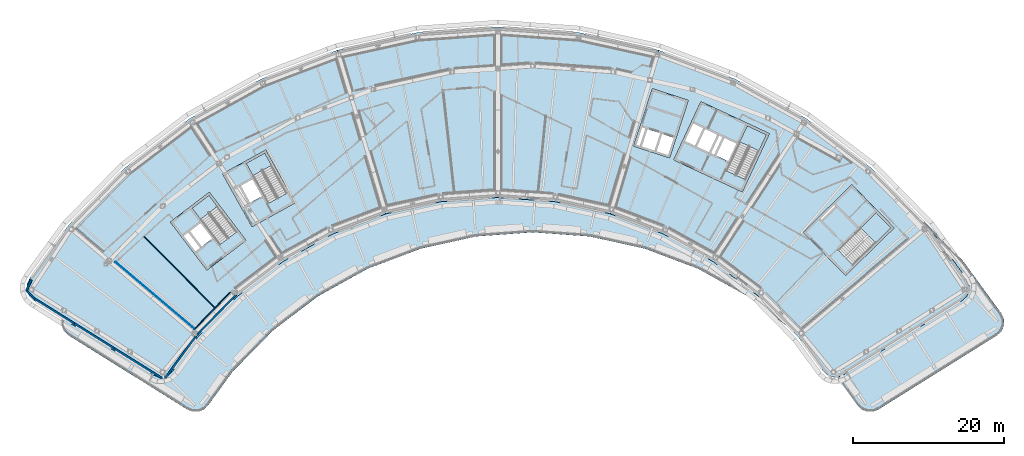
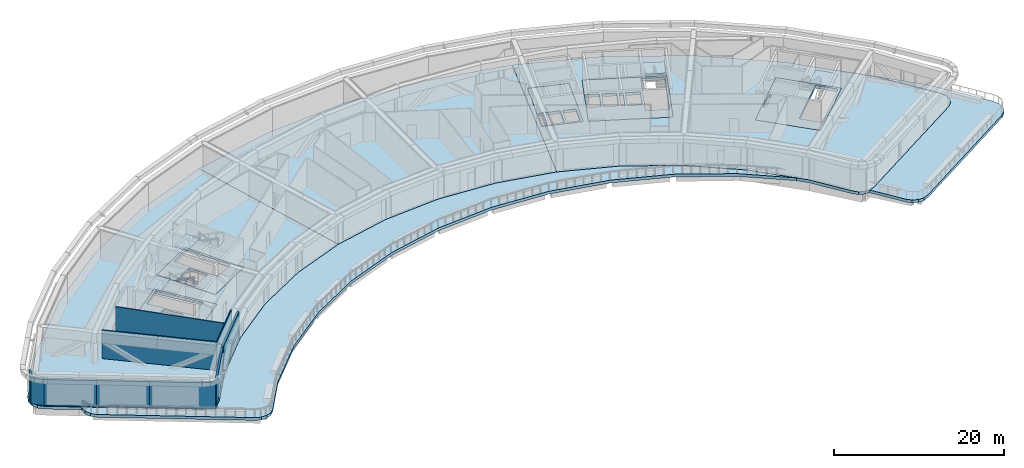
# One storey, part 6 of 24: 14 slabs, 10 walls, 4 elements without a shape of their own.
"""IFC4 building model written with IfcOpenShell, lengths in metres."""

from ifc_helpers import new_model, si_unit, direction, frame, frame_2d, origin, place, context, subcontext, project, spatial, polyline, rectangle, outline, extrude, material, layer, layer_set, type_object, element, aggregate, save


model = new_model("IFC4")

# Units and contexts
model_context = context("Model", 3, precision=1e-05, world=origin(), true_north=direction((0.0, 1.0)))
body_context = subcontext(model_context, "Body", "Model", "MODEL_VIEW")
ifc_project = project(units=[si_unit("LENGTHUNIT", "METRE"), si_unit("AREAUNIT", "SQUARE_METRE"), si_unit("VOLUMEUNIT", "CUBIC_METRE"), si_unit("PLANEANGLEUNIT", "RADIAN"), si_unit("MASSUNIT", "GRAM", prefix="KILO")], contexts=[model_context])

# Site, building, storey
site_placement = place(None, origin())
site = spatial("IfcSite", under=ifc_project, at=site_placement, CompositionType="ELEMENT")
building_placement = place(site_placement, origin())
building = spatial("IfcBuilding", under=site, at=building_placement, Name="Tuul Gate Civic Tower", CompositionType="ELEMENT")
storey_placement = place(building_placement, frame((0.0, 0.0, 315.199951171875)))
storey = spatial("IfcBuildingStorey", under=building, at=storey_placement, Name="Plant and refuge floor 7", CompositionType="ELEMENT", Elevation=315.199951171875)

# Slabs
ifc_material_1 = material(Name="Concrete C40/50", Category="concrete")
ifc_layer_1 = layer(ifc_material_1, 0.39990234375)
ifc_layer_set_1 = layer_set([ifc_layer_1], Name="Concrete C40/50")
slab_type_1 = type_object("IfcSlabType", Name="Core floor slab 400", PredefinedType="FLOOR", material=ifc_layer_set_1)
slab_1_placement = place(storey_placement, frame((0.0, 0.0, -0.400146484375)))
element("IfcSlab", 1, at=slab_1_placement, inside=storey, type_object=slab_type_1, Name="FLOOR SLAB", PredefinedType="FLOOR", context=body_context, shape_type="SweptSolid", body=[
    extrude(outline(polyline([(-31.10009765625, -13.7890625), (-35.946044921875, -7.423828125), (-41.11767578125, -11.361572265625), (-36.271484375, -17.726806640625), (-31.10009765625, -13.7890625)]), holes=[polyline([(-35.561767578125, -13.541259765625), (-37.1064453125, -11.512451171875), (-38.498779296875, -12.572509765625), (-36.9541015625, -14.6015625), (-35.561767578125, -13.541259765625)]), polyline([(-37.19287109375, -14.783203125), (-38.737548828125, -12.75439453125), (-39.45361328125, -13.299560546875), (-37.908935546875, -15.328369140625), (-37.19287109375, -14.783203125)]), polyline([(-32.33935546875, -12.65771484375), (-34.56591796875, -14.352783203125), (-38.229736328125, -9.54052734375), (-36.003173828125, -7.845458984375), (-32.33935546875, -12.65771484375)])]), origin(), (0.0, 0.0, 1.0), 0.400146484375),
])
slab_2_placement = place(storey_placement, frame((0.0, 0.0, -0.400146484375)))
element("IfcSlab", 2, at=slab_2_placement, inside=storey, type_object=slab_type_1, Name="FLOOR SLAB", PredefinedType="FLOOR", context=body_context, shape_type="SweptSolid", body=[
    extrude(outline(polyline([(-24.638916015625, -8.846923828125), (-28.51708984375, -1.849853515625), (-34.2021484375, -5.0009765625), (-30.32421875, -11.998046875), (-24.638916015625, -8.846923828125)]), holes=[polyline([(-29.0185546875, -7.958740234375), (-30.254638671875, -5.728515625), (-31.785400390625, -6.576904296875), (-30.54931640625, -8.80712890625), (-29.0185546875, -7.958740234375)]), polyline([(-30.8115234375, -8.95263671875), (-32.047607421875, -6.72216796875), (-32.8349609375, -7.158447265625), (-31.5986328125, -9.388916015625), (-30.8115234375, -8.95263671875)]), polyline([(-25.702392578125, -7.548828125), (-28.14990234375, -8.905517578125), (-31.08203125, -3.615234375), (-28.63427734375, -2.2587890625), (-25.702392578125, -7.548828125)])]), origin(), (0.0, 0.0, 1.0), 0.400146484375),
])
slab_3_placement = place(storey_placement, frame((0.0, 0.0, -0.400146484375)))
element("IfcSlab", 3, at=slab_3_placement, inside=storey, type_object=slab_type_1, Name="FLOOR SLAB", PredefinedType="FLOOR", context=body_context, shape_type="SweptSolid", body=[
    extrude(outline(polyline([(48.117919921875, -18.43310546875), (54.545166015625, -12.1328125), (48.945068359375, -6.419921875), (42.517822265625, -12.719970703125), (48.117919921875, -18.43310546875)]), holes=[polyline([(44.93896484375, -11.046875), (46.760009765625, -9.261962890625), (46.514892578125, -9.011962890625), (44.69384765625, -10.797119140625), (44.93896484375, -11.046875)]), polyline([(49.086181640625, -17.062744140625), (47.12744140625, -15.064208984375), (52.160888671875, -10.130126953125), (54.11962890625, -12.128662109375), (49.086181640625, -17.062744140625)])]), origin(), (0.0, 0.0, 1.0), 0.400146484375),
])
slab_4_placement = place(storey_placement, frame((0.0, 0.0, -0.400146484375)))
element("IfcSlab", 4, at=slab_4_placement, inside=storey, type_object=slab_type_1, Name="FLOOR SLAB", PredefinedType="FLOOR", context=body_context, shape_type="SweptSolid", body=[
    extrude(outline(polyline([(34.465087890625, -7.385986328125), (38.056884765625, 0.31787109375), (28.993896484375, 4.543701171875), (25.40185546875, -3.159912109375), (34.465087890625, -7.385986328125)]), holes=[polyline([(32.60888671875, -3.32080078125), (33.6865234375, -1.009765625), (32.1005859375, -0.27001953125), (31.02294921875, -2.581298828125), (32.60888671875, -3.32080078125)]), polyline([(30.0712890625, -2.137451171875), (31.14892578125, 0.173583984375), (29.562744140625, 0.9130859375), (28.4853515625, -1.39794921875), (30.0712890625, -2.137451171875)]), polyline([(30.751220703125, -2.454345703125), (31.82861328125, -0.143310546875), (31.4208984375, 0.046875), (30.34326171875, -2.264404296875), (30.751220703125, -2.454345703125)]), polyline([(28.21337890625, -1.27099609375), (29.291015625, 1.0400390625), (27.8408203125, 1.71630859375), (26.76318359375, -0.594970703125), (28.21337890625, -1.27099609375)]), polyline([(34.889892578125, -5.7626953125), (32.353759765625, -4.580078125), (35.120849609375, 1.354736328125), (37.6572265625, 0.17236328125), (34.889892578125, -5.7626953125)])]), origin(), (0.0, 0.0, 1.0), 0.400146484375),
])
ifc_material_2 = material(Name="Concrete C40/50", Category="concrete")
ifc_layer_2 = layer(ifc_material_2, 0.39990234375)
ifc_layer_set_2 = layer_set([ifc_layer_2], Name="Concrete C40/50")
slab_type_2 = type_object("IfcSlabType", Name="Core floor slab 400 non-bearing", PredefinedType="FLOOR", material=ifc_layer_set_2)
slab_5_placement = place(storey_placement, frame((0.0, 0.0, -0.400146484375)))
element("IfcSlab", 5, at=slab_5_placement, inside=storey, type_object=slab_type_2, Name="FLOOR SLAB", PredefinedType="FLOOR", context=body_context, shape_type="SweptSolid", body=[
    extrude(outline(polyline([(24.864990234375, -2.888916015625), (27.337890625, 4.71923828125), (22.58251953125, 6.264404296875), (20.109619140625, -1.343994140625), (24.864990234375, -2.888916015625)]), holes=[polyline([(24.67236328125, -2.510986328125), (25.414306640625, -0.228515625), (23.892578125, 0.265869140625), (23.150634765625, -2.0166015625), (24.67236328125, -2.510986328125)]), polyline([(22.865478515625, -1.923828125), (23.607177734375, 0.358642578125), (21.94287109375, 0.8994140625), (21.201171875, -1.383056640625), (22.865478515625, -1.923828125)]), polyline([(20.869384765625, -1.43310546875), (21.65771484375, 0.9921875), (21.0869140625, 1.177490234375), (20.298583984375, -1.24755859375), (20.869384765625, -1.43310546875)])]), origin(), (0.0, 0.0, 1.0), 0.400146484375),
])

# Stair, slab
ifc_material_3 = material(Name="Concrete C40/50", Category="concrete")
stair_type = type_object("IfcStairType", Name="Exit stair", PredefinedType="HALF_TURN_STAIR", material=ifc_material_3)
stair_1_placement = place(storey_placement, origin())
stair_1 = element("IfcStair", 6, at=stair_1_placement, inside=storey, type_object=stair_type, Name="Plant and refuge floor 7 ST-1", PredefinedType="HALF_TURN_STAIR")
ifc_material_4 = material(Name="Concrete C40/50", Category="concrete")
ifc_layer_3 = layer(ifc_material_4, 0.199951171875)
ifc_layer_set_3 = layer_set([ifc_layer_3], Name="Concrete C40/50")
slab_type_3 = type_object("IfcSlabType", Name="Exit stair landing", PredefinedType="LANDING", material=ifc_layer_set_3)
slab_6_placement = place(storey_placement, frame((0.0, 0.0, 2.050048828125)))
slab_6 = element("IfcSlab", 7, at=slab_6_placement, type_object=slab_type_3, Name="ST-1 landing 1", PredefinedType="LANDING", context=body_context, shape_type="SweptSolid", body=[
    extrude(outline(polyline([(-34.88134765625, -9.31640625), (-37.1103515625, -11.013427734375), (-38.23193359375, -9.540283203125), (-36.0029296875, -7.843017578125), (-34.88134765625, -9.31640625)])), origin(), (0.0, 0.0, 1.0), 0.199951171875),
])
aggregate(stair_1, [slab_6])

stair_2_placement = place(storey_placement, origin())
stair_2 = element("IfcStair", 8, at=stair_2_placement, inside=storey, type_object=stair_type, Name="Plant and refuge floor 7 ST-2", PredefinedType="HALF_TURN_STAIR")
slab_7_placement = place(storey_placement, frame((0.0, 0.0, 2.050048828125)))
slab_7 = element("IfcSlab", 9, at=slab_7_placement, type_object=slab_type_3, Name="ST-2 landing 1", PredefinedType="LANDING", context=body_context, shape_type="SweptSolid", body=[
    extrude(outline(polyline([(-27.736083984375, -3.8759765625), (-30.1865234375, -5.234130859375), (-31.084228515625, -3.61474609375), (-28.6337890625, -2.256591796875), (-27.736083984375, -3.8759765625)])), origin(), (0.0, 0.0, 1.0), 0.199951171875),
])
aggregate(stair_2, [slab_7])

stair_3_placement = place(storey_placement, origin())
stair_3 = element("IfcStair", 10, at=stair_3_placement, inside=storey, type_object=stair_type, Name="Plant and refuge floor 7 ST-3", PredefinedType="HALF_TURN_STAIR")
slab_8_placement = place(storey_placement, frame((0.0, 0.0, 2.050048828125)))
slab_8 = element("IfcSlab", 11, at=slab_8_placement, type_object=slab_type_3, Name="ST-3 landing 1", PredefinedType="LANDING", context=body_context, shape_type="SweptSolid", body=[
    extrude(outline(polyline([(52.085693359375, -14.124755859375), (50.12451171875, -12.1240234375), (52.160888671875, -10.1279296875), (54.1220703125, -12.128662109375), (52.085693359375, -14.124755859375)])), origin(), (0.0, 0.0, 1.0), 0.199951171875),
])
aggregate(stair_3, [slab_8])

stair_4_placement = place(storey_placement, origin())
stair_4 = element("IfcStair", 12, at=stair_4_placement, inside=storey, type_object=stair_type, Name="Plant and refuge floor 7 ST-4", PredefinedType="HALF_TURN_STAIR")
slab_9_placement = place(storey_placement, frame((0.0, 0.0, 2.050048828125)))
slab_9 = element("IfcSlab", 13, at=slab_9_placement, type_object=slab_type_3, Name="ST-4 landing 1", PredefinedType="LANDING", context=body_context, shape_type="SweptSolid", body=[
    extrude(outline(polyline([(36.66552734375, -1.958251953125), (34.12646484375, -0.7744140625), (35.1201171875, 1.35693359375), (37.659423828125, 0.173095703125), (36.66552734375, -1.958251953125)])), origin(), (0.0, 0.0, 1.0), 0.199951171875),
])
aggregate(stair_4, [slab_9])

# Slabs
ifc_material_5 = material(Name="Concrete C35/45", Category="concrete")
ifc_layer_4 = layer(ifc_material_5, 0.39990234375)
ifc_layer_set_4 = layer_set([ifc_layer_4], Name="Concrete C35/45")
slab_type_4 = type_object("IfcSlabType", Name="STR-FLOOR-SLAB-400", PredefinedType="FLOOR", material=ifc_layer_set_4)
slab_10_placement = place(storey_placement, frame((0.0, 0.0, -0.400146484375)))
element("IfcSlab", 14, at=slab_10_placement, inside=storey, type_object=slab_type_4, Name="Plant and refuge floor 7/slab/W", PredefinedType="FLOOR", context=body_context, shape_type="SweptSolid", body=[
    extrude(outline(polyline([(-19.64208984375, -12.94189453125), (-12.6220703125, -10.287109375), (-19.055908203125, 11.3349609375), (-29.125, 7.528076171875), (-38.5390625, 2.30908203125), (-47.10400390625, -4.2119140625), (-54.638916015625, -11.89892578125), (-59.718994140625, -18.85498046875), (-60.055908203125, -19.597900390625), (-60.068115234375, -20.4140625), (-59.7529296875, -21.1669921875), (-59.1640625, -21.73095703125), (-43.43408203125, -31.56005859375), (-42.739990234375, -31.830078125), (-41.9951171875, -31.827880859375), (-41.302978515625, -31.552978515625), (-40.759033203125, -31.0439453125), (-37.429931640625, -26.486083984375), (-32.177001953125, -21.1259765625), (-26.2060546875, -16.580078125), (-19.64208984375, -12.94189453125)]), holes=[polyline([(-31.10009765625, -13.7890625), (-36.27197265625, -17.72705078125), (-41.117919921875, -11.362060546875), (-35.946044921875, -7.424072265625), (-31.10009765625, -13.7890625)]), polyline([(-24.638916015625, -8.846923828125), (-30.323974609375, -11.998046875), (-34.201904296875, -5.0009765625), (-28.51708984375, -1.85009765625), (-24.638916015625, -8.846923828125)])]), origin(), (0.0, 0.0, 1.0), 0.400146484375),
])
slab_11_placement = place(storey_placement, frame((0.0, 0.0, -0.400146484375)))
element("IfcSlab", 15, at=slab_11_placement, inside=storey, type_object=slab_type_4, Name="Plant and refuge floor 7/slab/M", PredefinedType="FLOOR", context=body_context, shape_type="SweptSolid", body=[
    extrude(outline(polyline([(17.006103515625, -10.287109375), (23.43994140625, 11.3349609375), (12.927978515625, 13.652099609375), (2.19189453125, 14.428955078125), (-8.5439453125, 13.652099609375), (-19.055908203125, 11.3349609375), (-12.6220703125, -10.287109375), (-5.29296875, -8.672119140625), (2.19189453125, -8.1298828125), (9.677001953125, -8.672119140625), (17.006103515625, -10.287109375)])), origin(), (0.0, 0.0, 1.0), 0.400146484375),
])
slab_12_placement = place(storey_placement, frame((0.0, 0.0, -0.400146484375)))
element("IfcSlab", 16, at=slab_12_placement, inside=storey, type_object=slab_type_4, Name="Plant and refuge floor 7/slab/E", PredefinedType="FLOOR", context=body_context, shape_type="SweptSolid", body=[
    extrude(outline(polyline([(47.1240234375, -31.830078125), (47.818115234375, -31.56005859375), (63.548095703125, -21.73095703125), (64.136962890625, -21.1669921875), (64.451904296875, -20.4140625), (64.43994140625, -19.597900390625), (64.10302734375, -18.85498046875), (59.02294921875, -11.89892578125), (51.488037109375, -4.2119140625), (42.923095703125, 2.30908203125), (33.509033203125, 7.528076171875), (23.43994140625, 11.3349609375), (17.006103515625, -10.287109375), (24.02587890625, -12.94189453125), (30.590087890625, -16.580078125), (36.56103515625, -21.1259765625), (41.81396484375, -26.486083984375), (45.14306640625, -31.0439453125), (45.68701171875, -31.552978515625), (46.37890625, -31.827880859375), (47.1240234375, -31.830078125)]), holes=[polyline([(48.117919921875, -18.43310546875), (42.51806640625, -12.719970703125), (48.945068359375, -6.419921875), (54.544921875, -12.133056640625), (48.117919921875, -18.43310546875)]), polyline([(25.402099609375, -3.159912109375), (28.993896484375, 4.5439453125), (38.056884765625, 0.318115234375), (34.465087890625, -7.385986328125), (25.402099609375, -3.159912109375)]), polyline([(20.110107421875, -1.343994140625), (22.58203125, 6.264892578125), (27.337890625, 4.719970703125), (24.864990234375, -2.888916015625), (20.110107421875, -1.343994140625)])]), origin(), (0.0, 0.0, 1.0), 0.400146484375),
])
ifc_material_6 = material(Name="Concrete C40/50", Category="concrete")
ifc_layer_5 = layer(ifc_material_6, 0.39990234375)
ifc_layer_set_5 = layer_set([ifc_layer_5], Name="Concrete C40/50")
slab_type_5 = type_object("IfcSlabType", Name="STR-TERRACE-SLAB-400", PredefinedType="ROOF", material=ifc_layer_set_5)
slab_13_placement = place(storey_placement, frame((0.0, 0.0, -0.400146484375)))
element("IfcSlab", 17, at=slab_13_placement, inside=storey, type_object=slab_type_5, Name="terrace 1", PredefinedType="ROOF", context=body_context, shape_type="SweptSolid", body=[
    extrude(outline(polyline([(56.083984375, -8.80810546875), (63.618896484375, -16.4951171875), (68.699951171875, -23.451904296875), (69.035888671875, -24.195068359375), (69.048095703125, -25.010009765625), (68.73388671875, -25.762939453125), (68.14404296875, -26.326904296875), (52.4140625, -36.156005859375), (51.719970703125, -36.427001953125), (50.97509765625, -36.424072265625), (50.282958984375, -36.14892578125), (49.739013671875, -35.639892578125), (46.9560546875, -31.82958984375), (47.1240234375, -31.830078125), (47.818115234375, -31.56005859375), (63.548095703125, -21.73095703125), (64.136962890625, -21.1669921875), (64.451904296875, -20.4140625), (64.43994140625, -19.597900390625), (64.10302734375, -18.85498046875), (59.02294921875, -11.89892578125), (55.725830078125, -8.53515625), (56.083984375, -8.80810546875)])), origin(), (0.0, 0.0, 1.0), 0.400146484375),
])
slab_14_placement = place(storey_placement, frame((0.0, 0.0, -0.400146484375)))
element("IfcSlab", 18, at=slab_14_placement, inside=storey, type_object=slab_type_5, Name="terrace 2", PredefinedType="ROOF", context=body_context, shape_type="SweptSolid", body=[
    extrude(outline(polyline([(35.18603515625, -21.176025390625), (28.6220703125, -17.5380859375), (21.60205078125, -14.883056640625), (14.27294921875, -13.26806640625), (6.7880859375, -12.72607421875), (-0.697021484375, -13.26806640625), (-8.02587890625, -14.883056640625), (-15.0458984375, -17.5380859375), (-21.60888671875, -21.176025390625), (-27.580078125, -25.721923828125), (-32.833984375, -31.08203125), (-36.1630859375, -35.639892578125), (-36.70703125, -36.14892578125), (-37.39892578125, -36.424072265625), (-38.14404296875, -36.427001953125), (-38.837890625, -36.156005859375), (-54.568115234375, -26.326904296875), (-55.156982421875, -25.762939453125), (-55.471923828125, -25.010009765625), (-55.4599609375, -24.195068359375), (-55.4072265625, -24.078369140625), (-43.43408203125, -31.56005859375), (-42.739990234375, -31.830078125), (-41.9951171875, -31.827880859375), (-41.302978515625, -31.552978515625), (-40.759033203125, -31.0439453125), (-37.429931640625, -26.486083984375), (-32.177001953125, -21.1259765625), (-26.2060546875, -16.580078125), (-19.64208984375, -12.94189453125), (-12.6220703125, -10.287109375), (-5.29296875, -8.672119140625), (2.19189453125, -8.1298828125), (9.677001953125, -8.672119140625), (17.006103515625, -10.287109375), (24.02587890625, -12.94189453125), (30.590087890625, -16.580078125), (36.56103515625, -21.1259765625), (40.795654296875, -25.44677734375), (35.18603515625, -21.176025390625)])), origin(), (0.0, 0.0, 1.0), 0.400146484375),
])

# Walls
ifc_material_7 = material(Name="Precast concrete C40/50", Category="concrete")
ifc_layer_6 = layer(ifc_material_7, 0.25)
ifc_layer_set_6 = layer_set([ifc_layer_6], Name="Precast concrete C40/50")
wall_type_1 = type_object("IfcWallType", Name="External wall", PredefinedType="STANDARD", material=ifc_layer_set_6)
wall_1_placement = place(storey_placement, frame((-59.484130859375, -18.99560546875, 0.0), z_axis=(0.0, 0.0, 1.0), x_axis=(-0.413463423134, -0.910520728886, 0.0)))
element("IfcWall", 19, at=wall_1_placement, inside=storey, type_object=wall_type_1, Name="External wall", PredefinedType="STANDARD", context=body_context, shape_type="SweptSolid", body=[
    extrude(rectangle(XDim=1.5712890625, YDim=0.25, at=frame_2d((0.78564453125, 0.0))), origin(), (0.0, 0.0, 1.0), 3.75),
])
wall_2_placement = place(storey_placement, frame((-60.1337890625, -20.42626953125, 0.0), z_axis=(0.0, 0.0, 1.0), x_axis=(0.722162740816, -0.691723193031, 0.0)))
element("IfcWall", 20, at=wall_2_placement, inside=storey, type_object=wall_type_1, Name="External wall", PredefinedType="STANDARD", context=body_context, shape_type="SweptSolid", body=[
    extrude(rectangle(XDim=1.572021484375, YDim=0.25, at=frame_2d((0.7861328125, 0.0))), origin(), (0.0, 0.0, 1.0), 3.75),
])
for number, where, z_axis, x_axis, name in (
    (21, (-59.018798828125, -21.498046875, 0.0), (0.0, 0.0, 1.0), (0.848053758074, -0.529910203164, 0.0), "External wall"),
    (22, (-53.775390625, -24.7744140625, 0.0), (0.0, 0.0, 1.0), (0.848053758074, -0.529910203164, 0.0), "External wall"),
):
    element("IfcWall", number, at=place(storey_placement, frame(where, z_axis=z_axis, x_axis=x_axis)), inside=storey, type_object=wall_type_1, Name=name, PredefinedType="STANDARD", context=body_context, shape_type="SweptSolid", body=[
        extrude(rectangle(XDim=6.182861328125, YDim=0.25, at=frame_2d((3.09130859375, 0.0))), origin(), (0.0, 0.0, 1.0), 3.75),
    ])
wall_3_placement = place(storey_placement, frame((-48.531982421875, -28.05078125, 0.0), z_axis=(0.0, 0.0, 1.0), x_axis=(0.848061701049, -0.529897491233, 0.0)))
element("IfcWall", 23, at=wall_3_placement, inside=storey, type_object=wall_type_1, Name="External wall", PredefinedType="STANDARD", context=body_context, shape_type="SweptSolid", body=[
    extrude(rectangle(XDim=7.787841796875, YDim=0.25, at=frame_2d((3.89404296875, 0.0))), origin(), (0.0, 0.0, 1.0), 3.75),
])
wall_4_placement = place(storey_placement, frame((-41.927490234375, -32.177490234375, 0.0), z_axis=(0.0, 0.0, 1.0), x_axis=(0.589740329834, 0.807592931722, 0.0)))
element("IfcWall", 24, at=wall_4_placement, inside=storey, type_object=wall_type_1, Name="External wall", PredefinedType="STANDARD", context=body_context, shape_type="SweptSolid", body=[
    extrude(rectangle(XDim=7.15771484375, YDim=0.25, at=frame_2d((3.578857421875, 0.0))), origin(), (0.0, 0.0, 1.0), 3.75),
])
wall_5_placement = place(storey_placement, frame((-37.589111328125, -26.25439453125, 0.0), z_axis=(0.0, 0.0, 1.0), x_axis=(0.700105084669, 0.714039824114, 0.0)))
element("IfcWall", 25, at=wall_5_placement, inside=storey, type_object=wall_type_1, Name="External wall", PredefinedType="STANDARD", context=body_context, shape_type="SweptSolid", body=[
    extrude(rectangle(XDim=7.3935546875, YDim=0.25, at=frame_2d((3.69677734375, 0.0))), origin(), (0.0, 0.0, 1.0), 3.75),
])
ifc_material_8 = material(Name="Gypsum board partition")
ifc_layer_7 = layer(ifc_material_8, 0.10009765625)
ifc_layer_set_7 = layer_set([ifc_layer_7], Name="Gypsum board partition")
wall_type_2 = type_object("IfcWallType", Name="Partition P100", PredefinedType="PARTITIONING", material=ifc_layer_set_7)
wall_6_placement = place(storey_placement, frame((-44.599609375, -13.279052734375, 0.0), z_axis=(0.0, 0.0, 1.0), x_axis=(0.707106781187, -0.707106781187, 0.0)))
element("IfcWall", 26, at=wall_6_placement, inside=storey, type_object=wall_type_2, Name="p067", PredefinedType="PARTITIONING", context=body_context, shape_type="SweptSolid", body=[
    extrude(rectangle(XDim=13.315185546875, YDim=0.10009765625, at=frame_2d((6.65771484375, 0.0))), origin(), (0.0, 0.0, 1.0), 4.10009765625),
])
wall_7_placement = place(storey_placement, frame((-33.168701171875, -20.637939453125, 0.0), z_axis=(0.0, 0.0, 1.0), x_axis=(-0.699981815522, -0.714160666754, 0.0)))
element("IfcWall", 27, at=wall_7_placement, inside=storey, type_object=wall_type_2, Name="p136", PredefinedType="PARTITIONING", context=body_context, shape_type="SweptSolid", body=[
    extrude(rectangle(XDim=6.7841796875, YDim=0.10009765625, at=frame_2d((3.39208984375, 0.0))), origin(), (0.0, 0.0, 1.0), 4.10009765625),
])
wall_8_placement = place(storey_placement, frame((-37.91748046875, -25.48291015625, 0.0), z_axis=(0.0, 0.0, 1.0), x_axis=(-0.762828478555, 0.646600891049, 0.0)))
element("IfcWall", 28, at=wall_8_placement, inside=storey, type_object=wall_type_2, Name="p138", PredefinedType="PARTITIONING", context=body_context, shape_type="SweptSolid", body=[
    extrude(rectangle(XDim=13.653564453125, YDim=0.10009765625, at=frame_2d((6.82666015625, 0.0))), origin(), (0.0, 0.0, 1.0), 4.10009765625),
])

save(model, "model.ifc")
